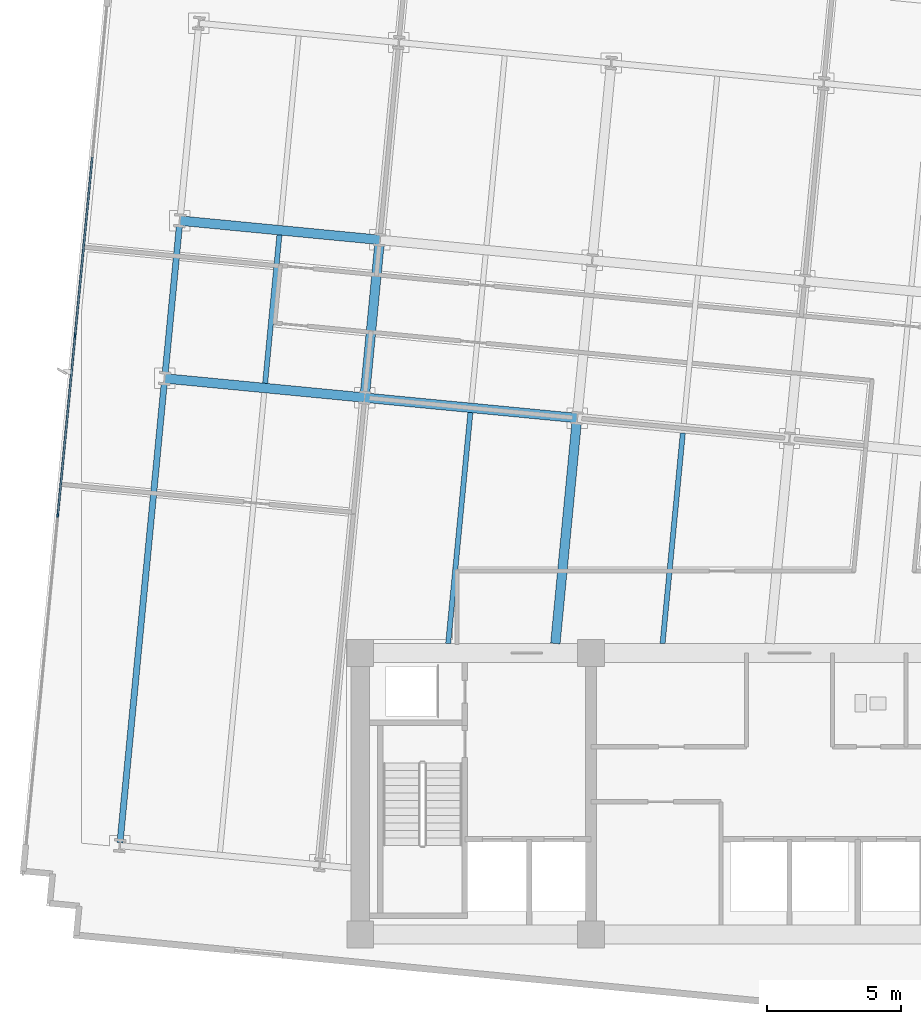
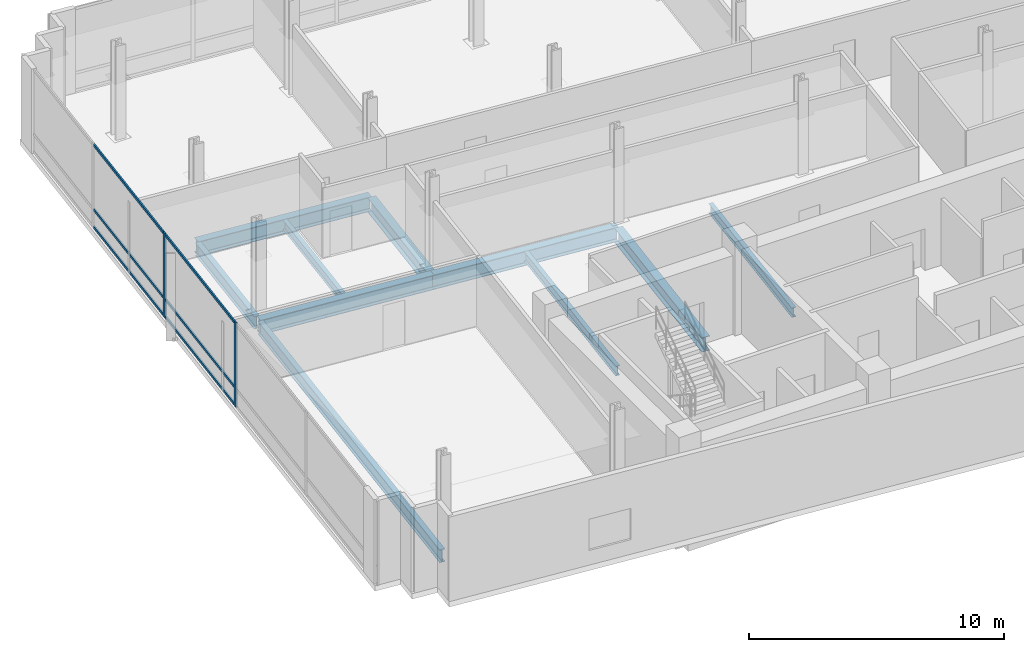
# One storey, part 4 of 17: 10 beams, 8 members, 1 element without a shape of its own.
"""IFC4 building model written with IfcOpenShell, lengths in metres."""

from ifc_helpers import new_model, si_unit, direction, frame, origin, origin_2d, place, context, subcontext, project, spatial, rectangle, i_section, extrude, material, material_profile, profile_set, type_object, element, aggregate, save


model = new_model("IFC4")

# Units and contexts
model_context = context("Model", 3, precision=1e-05, world=origin(), true_north=direction((0.0, 1.0)))
body_context = subcontext(model_context, "Body", "Model", "MODEL_VIEW")
ifc_project = project(units=[si_unit("LENGTHUNIT", "METRE"), si_unit("AREAUNIT", "SQUARE_METRE"), si_unit("VOLUMEUNIT", "CUBIC_METRE"), si_unit("PLANEANGLEUNIT", "RADIAN"), si_unit("MASSUNIT", "GRAM", prefix="KILO")], contexts=[model_context])

# Site, building, storey
site_placement = place(None, origin())
site = spatial("IfcSite", under=ifc_project, at=site_placement, CompositionType="ELEMENT")
building_placement = place(site_placement, origin())
building = spatial("IfcBuilding", under=site, at=building_placement, Name="Solmavex Isthmus Hotel", CompositionType="ELEMENT")
storey_placement = place(building_placement, frame((0.0, 0.0, 181.800048828125)))
storey = spatial("IfcBuildingStorey", under=building, at=storey_placement, Name="L49", CompositionType="ELEMENT", Elevation=181.800048828125)

# Beams
ifc_material_1 = material(Name="Steel ASTM A992 Grade 50", Category="steel")
ifc_material_profile_1 = material_profile(ifc_material_1, i_section(OverallWidth=0.354736328125, OverallDepth=0.695556640625, WebThickness=0.015380859375, FlangeThickness=0.02490234375, FilletRadius=0.017822265625, at=origin_2d()), Name="W27X146")
ifc_profile_set_1 = profile_set([ifc_material_profile_1], Name="Steel ASTM A992 Grade 50")
beam_type_1 = type_object("IfcBeamType", Name="BM-BG-W27X146", PredefinedType="BEAM", material=ifc_profile_set_1)
beam_1_placement = place(storey_placement, frame((-23.291015625, 7.733154296875, -0.60791015625), z_axis=(0.995395279593, -0.095855293875, 0.0), x_axis=(0.095855293875, 0.995395279593, 0.0)))
element("IfcBeam", 1, at=beam_1_placement, inside=storey, type_object=beam_type_1, Name="Floor Girder L49-UG03", PredefinedType="BEAM", context=body_context, shape_type="SweptSolid", body=[
    extrude(i_section(OverallWidth=0.354736328125, OverallDepth=0.695556640625, WebThickness=0.015380859375, FlangeThickness=0.02490234375, FilletRadius=0.017822265625, at=origin_2d()), origin(), (0.0, 0.0, 1.0), 7.488037109375),
])
beam_2_placement = place(storey_placement, frame((-15.83740234375, 7.015380859375, -0.60791015625), z_axis=(0.995397158178, -0.095835783981, 0.0), x_axis=(0.095835783981, 0.995397158178, 0.0)))
element("IfcBeam", 2, at=beam_2_placement, inside=storey, type_object=beam_type_1, Name="Floor Girder L49-UG04", PredefinedType="BEAM", context=body_context, shape_type="SweptSolid", body=[
    extrude(i_section(OverallWidth=0.354736328125, OverallDepth=0.695556640625, WebThickness=0.015380859375, FlangeThickness=0.02490234375, FilletRadius=0.017822265625, at=origin_2d()), origin(), (0.0, 0.0, 1.0), 7.955810546875),
])
beam_3_placement = place(storey_placement, frame((-22.724853515625, 13.614013671875, -0.60791015625), z_axis=(0.995395279593, -0.095855293875, 0.0), x_axis=(0.095855293875, 0.995395279593, 0.0)))
element("IfcBeam", 3, at=beam_3_placement, inside=storey, type_object=beam_type_1, Name="Floor Girder L49-UG09", PredefinedType="BEAM", context=body_context, shape_type="SweptSolid", body=[
    extrude(i_section(OverallWidth=0.354736328125, OverallDepth=0.695556640625, WebThickness=0.015380859375, FlangeThickness=0.02490234375, FilletRadius=0.017822265625, at=origin_2d()), origin(), (0.0, 0.0, 1.0), 7.488037109375),
])
beam_4_placement = place(storey_placement, frame((-15.820556640625, 7.19189453125, -0.60791015625), z_axis=(0.095838058801, 0.995396939158, 0.0), x_axis=(-0.995396939158, 0.095838058801, 0.0)))
element("IfcBeam", 4, at=beam_4_placement, inside=storey, type_object=beam_type_1, Name="Floor Beam L49-VG25", PredefinedType="BEAM", context=body_context, shape_type="SweptSolid", body=[
    extrude(i_section(OverallWidth=0.354736328125, OverallDepth=0.695556640625, WebThickness=0.015380859375, FlangeThickness=0.02490234375, FilletRadius=0.017822265625, at=origin_2d()), origin(), (0.0, 0.0, 1.0), 5.553466796875),
])
beam_5_placement = place(storey_placement, frame((-8.727294921875, -2.14990234375, -0.60791015625), z_axis=(0.095861573524, 0.995394674851, 0.0), x_axis=(-0.995394674851, 0.095861573524, 0.0)))
element("IfcBeam", 5, at=beam_5_placement, inside=storey, type_object=beam_type_1, Name="Floor Beam L49-VG27", PredefinedType="BEAM", context=body_context, shape_type="SweptSolid", body=[
    extrude(i_section(OverallWidth=0.354736328125, OverallDepth=0.695556640625, WebThickness=0.015380859375, FlangeThickness=0.02490234375, FilletRadius=0.017822265625, at=origin_2d()), origin(), (0.0, 0.0, 1.0), 8.264404296875),
])
ifc_material_profile_2 = material_profile(ifc_material_1, i_section(OverallWidth=0.1904296875, OverallDepth=0.456787109375, WebThickness=0.009033203125, FlangeThickness=0.014404296875, FilletRadius=0.0126953125, at=origin_2d()), Name="W18X50")
ifc_profile_set_2 = profile_set([ifc_material_profile_2], Name="Steel ASTM A992 Grade 50")
beam_type_2 = type_object("IfcBeamType", Name="BM-BJ-W18X50", PredefinedType="JOIST", material=ifc_profile_set_2)
beam_6_placement = place(storey_placement, frame((-19.547119140625, 7.55078125, -0.488525390625), z_axis=(0.095842252862, 0.99539653534, 0.0), x_axis=(-0.99539653534, 0.095842252862, 0.0)))
element("IfcBeam", 6, at=beam_6_placement, inside=storey, type_object=beam_type_2, Name="Secondary Floor Joist L49-J02", PredefinedType="JOIST", context=body_context, shape_type="SweptSolid", body=[
    extrude(i_section(OverallWidth=0.1904296875, OverallDepth=0.456787109375, WebThickness=0.009033203125, FlangeThickness=0.014404296875, FilletRadius=0.0126953125, at=origin_2d()), origin(), (0.0, 0.0, 1.0), 5.55322265625),
])
beam_7_placement = place(storey_placement, frame((-12.7236328125, -2.14990234375, -0.488525390625), z_axis=(0.095852279322, 0.995395569886, 0.0), x_axis=(-0.995395569886, 0.095852279322, 0.0)))
element("IfcBeam", 7, at=beam_7_placement, inside=storey, type_object=beam_type_2, Name="Secondary Floor Joist L49-J04", PredefinedType="JOIST", context=body_context, shape_type="SweptSolid", body=[
    extrude(i_section(OverallWidth=0.1904296875, OverallDepth=0.456787109375, WebThickness=0.009033203125, FlangeThickness=0.014404296875, FilletRadius=0.0126953125, at=origin_2d()), origin(), (0.0, 0.0, 1.0), 8.647216796875),
])
beam_8_placement = place(storey_placement, frame((-4.730712890625, -2.14990234375, -0.488525390625), z_axis=(0.09584403416, 0.995396363825, 0.0), x_axis=(-0.995396363825, 0.09584403416, 0.0)))
element("IfcBeam", 8, at=beam_8_placement, inside=storey, type_object=beam_type_2, Name="Secondary Floor Joist L49-J07", PredefinedType="JOIST", context=body_context, shape_type="SweptSolid", body=[
    extrude(i_section(OverallWidth=0.1904296875, OverallDepth=0.456787109375, WebThickness=0.009033203125, FlangeThickness=0.014404296875, FilletRadius=0.0126953125, at=origin_2d()), origin(), (0.0, 0.0, 1.0), 7.88134765625),
])
ifc_material_profile_3 = material_profile(ifc_material_1, i_section(OverallWidth=0.230224609375, OverallDepth=0.617431640625, WebThickness=0.01318359375, FlangeThickness=0.022216796875, FilletRadius=0.01513671875, at=origin_2d()), Name="W24X94")
ifc_profile_set_3 = profile_set([ifc_material_profile_3], Name="Steel ASTM A992 Grade 50")
beam_type_3 = type_object("IfcBeamType", Name="BM-SP-W24X94", PredefinedType="SPANDREL", material=ifc_profile_set_3)
beam_9_placement = place(storey_placement, frame((-24.957275390625, -9.571533203125, -0.56884765625), z_axis=(0.095840821687, 0.99539667314, 0.0), x_axis=(-0.99539667314, 0.095840821687, 0.0)))
element("IfcBeam", 9, at=beam_9_placement, inside=storey, type_object=beam_type_3, Name="Floor Beam L49-VG21", PredefinedType="SPANDREL", context=body_context, shape_type="SweptSolid", body=[
    extrude(i_section(OverallWidth=0.230224609375, OverallDepth=0.617431640625, WebThickness=0.01318359375, FlangeThickness=0.022216796875, FilletRadius=0.01513671875, at=origin_2d()), origin(), (0.0, 0.0, 1.0), 17.207275390625),
])
beam_10_placement = place(storey_placement, frame((-23.27392578125, 7.90966796875, -0.56884765625), z_axis=(0.095842252862, 0.99539653534, 0.0), x_axis=(-0.99539653534, 0.095842252862, 0.0)))
element("IfcBeam", 10, at=beam_10_placement, inside=storey, type_object=beam_type_3, Name="Floor Beam L49-VG22", PredefinedType="SPANDREL", context=body_context, shape_type="SweptSolid", body=[
    extrude(i_section(OverallWidth=0.230224609375, OverallDepth=0.617431640625, WebThickness=0.01318359375, FlangeThickness=0.022216796875, FilletRadius=0.01513671875, at=origin_2d()), origin(), (0.0, 0.0, 1.0), 5.55322265625),
])

# Curtain wall, members
ifc_material_2 = material(Name="Aluminium alloy 6063-T6", Category="aluminium")
curtain_wall_type = type_object("IfcCurtainWallType", Name="CW-SYS-05", PredefinedType="NOTDEFINED", material=ifc_material_2)
curtain_wall_placement = place(storey_placement, origin())
curtain_wall = element("IfcCurtainWall", 11, at=curtain_wall_placement, inside=storey, type_object=curtain_wall_type, Name="Stick Curtain Wall CWL-L49-W1", PredefinedType="NOTDEFINED")
ifc_material_profile_4 = material_profile(ifc_material_2, rectangle(XDim=0.06494140625, YDim=0.159912109375, at=origin_2d()), Name="CWM-65X160")
ifc_profile_set_4 = profile_set([ifc_material_profile_4], Name="Aluminium alloy 6063-T6")
member_type_1 = type_object("IfcMemberType", Name="CW-SYS-05-MUL", PredefinedType="MULLION", material=ifc_profile_set_4)
member_1_placement = place(storey_placement, frame((-27.2783203125, 2.6318359375, 0.0), z_axis=(0.0, 0.0, 1.0), x_axis=(-0.995396190038, 0.09584583902, 0.0)))
member_1 = element("IfcMember", 12, at=member_1_placement, type_object=member_type_1, Name="CW-05 mullion 3", PredefinedType="MULLION", context=body_context, shape_type="SweptSolid", body=[
    extrude(rectangle(XDim=0.06494140625, YDim=0.159912109375, at=origin_2d()), origin(), (0.0, 0.0, 1.0), 4.050048828125),
])
member_2_placement = place(storey_placement, frame((-26.63427734375, 9.32080078125, 0.0), z_axis=(0.0, 0.0, 1.0), x_axis=(-0.995396190038, 0.09584583902, 0.0)))
member_2 = element("IfcMember", 13, at=member_2_placement, type_object=member_type_1, Name="CW-05 mullion 4", PredefinedType="MULLION", context=body_context, shape_type="SweptSolid", body=[
    extrude(rectangle(XDim=0.06494140625, YDim=0.159912109375, at=origin_2d()), origin(), (0.0, 0.0, 1.0), 4.050048828125),
])
ifc_material_profile_5 = material_profile(ifc_material_2, rectangle(XDim=0.06494140625, YDim=0.125, at=origin_2d()), Name="CWT-65X125")
ifc_profile_set_5 = profile_set([ifc_material_profile_5], Name="Aluminium alloy 6063-T6")
member_type_2 = type_object("IfcMemberType", Name="CW-SYS-05-TRN", PredefinedType="USERDEFINED", material=ifc_profile_set_5)
member_3_placement = place(storey_placement, frame((-27.275146484375, 2.6640625, 0.0625), z_axis=(0.095856401082, 0.99539517297, 0.0), x_axis=(-0.99539517297, 0.095856401082, 0.0)))
member_3 = element("IfcMember", 14, at=member_3_placement, type_object=member_type_2, Name="CW-05 transom 3.1", ObjectType="TRANSOM", PredefinedType="USERDEFINED", context=body_context, shape_type="SweptSolid", body=[
    extrude(rectangle(XDim=0.06494140625, YDim=0.125, at=origin_2d()), origin(), (0.0, 0.0, 1.0), 6.6552734375),
])
member_4_placement = place(storey_placement, frame((-27.275146484375, 2.6640625, 0.89990234375), z_axis=(0.095856401082, 0.99539517297, 0.0), x_axis=(-0.99539517297, 0.095856401082, 0.0)))
member_4 = element("IfcMember", 15, at=member_4_placement, type_object=member_type_2, Name="CW-05 transom 3.2", ObjectType="TRANSOM", PredefinedType="USERDEFINED", context=body_context, shape_type="SweptSolid", body=[
    extrude(rectangle(XDim=0.06494140625, YDim=0.125, at=origin_2d()), origin(), (0.0, 0.0, 1.0), 6.6552734375),
])
member_5_placement = place(storey_placement, frame((-27.275146484375, 2.6640625, 3.987548828125), z_axis=(0.095856401082, 0.99539517297, 0.0), x_axis=(-0.99539517297, 0.095856401082, 0.0)))
member_5 = element("IfcMember", 16, at=member_5_placement, type_object=member_type_2, Name="CW-05 transom 3.3", ObjectType="TRANSOM", PredefinedType="USERDEFINED", context=body_context, shape_type="SweptSolid", body=[
    extrude(rectangle(XDim=0.06494140625, YDim=0.125, at=origin_2d()), origin(), (0.0, 0.0, 1.0), 6.6552734375),
])
member_6_placement = place(storey_placement, frame((-26.631103515625, 9.353271484375, 0.0625), z_axis=(0.095859901454, 0.995394835878, 0.0), x_axis=(-0.995394835878, 0.095859901454, 0.0)))
member_6 = element("IfcMember", 17, at=member_6_placement, type_object=member_type_2, Name="CW-05 transom 4.1", ObjectType="TRANSOM", PredefinedType="USERDEFINED", context=body_context, shape_type="SweptSolid", body=[
    extrude(rectangle(XDim=0.06494140625, YDim=0.125, at=origin_2d()), origin(), (0.0, 0.0, 1.0), 6.655029296875),
])
member_7_placement = place(storey_placement, frame((-26.631103515625, 9.353271484375, 0.89990234375), z_axis=(0.095859901454, 0.995394835878, 0.0), x_axis=(-0.995394835878, 0.095859901454, 0.0)))
member_7 = element("IfcMember", 18, at=member_7_placement, type_object=member_type_2, Name="CW-05 transom 4.2", ObjectType="TRANSOM", PredefinedType="USERDEFINED", context=body_context, shape_type="SweptSolid", body=[
    extrude(rectangle(XDim=0.06494140625, YDim=0.125, at=origin_2d()), origin(), (0.0, 0.0, 1.0), 6.655029296875),
])
member_8_placement = place(storey_placement, frame((-26.631103515625, 9.353271484375, 3.987548828125), z_axis=(0.095859901454, 0.995394835878, 0.0), x_axis=(-0.995394835878, 0.095859901454, 0.0)))
member_8 = element("IfcMember", 19, at=member_8_placement, type_object=member_type_2, Name="CW-05 transom 4.3", ObjectType="TRANSOM", PredefinedType="USERDEFINED", context=body_context, shape_type="SweptSolid", body=[
    extrude(rectangle(XDim=0.06494140625, YDim=0.125, at=origin_2d()), origin(), (0.0, 0.0, 1.0), 6.655029296875),
])
aggregate(curtain_wall, [member_1, member_2, member_3, member_4, member_5, member_6, member_7, member_8])

save(model, "model.ifc")
